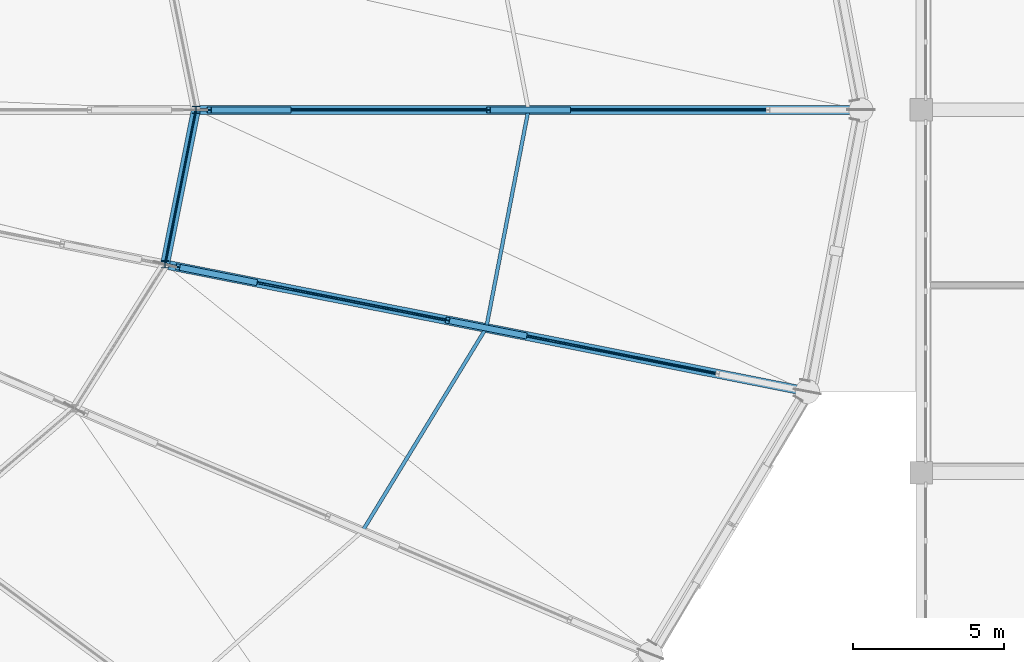
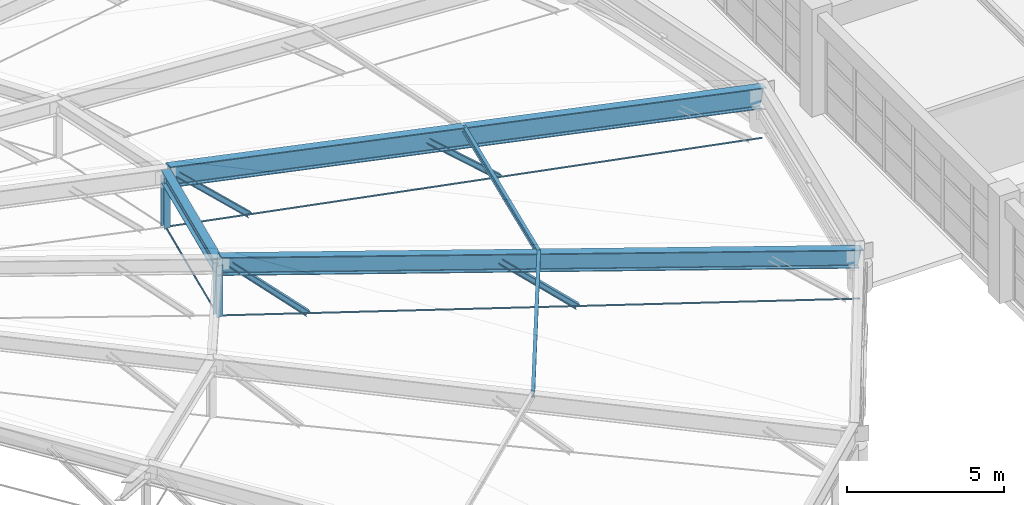
# One storey, part 24 of 83: 11 members, 3 beams.
"""IFC4 building model written with IfcOpenShell, lengths in metres."""

from ifc_helpers import new_model, si_unit, direction, frame, origin, origin_2d, place, context, subcontext, project, spatial, circle, i_section, extrude, material, material_profile, profile_set, type_object, element, save


model = new_model("IFC4")

# Units and contexts
model_context = context("Model", 3, precision=1e-05, world=origin(), true_north=direction((0.0, 1.0)))
body_context = subcontext(model_context, "Body", "Model", "MODEL_VIEW")
ifc_project = project(units=[si_unit("LENGTHUNIT", "METRE"), si_unit("AREAUNIT", "SQUARE_METRE"), si_unit("VOLUMEUNIT", "CUBIC_METRE"), si_unit("PLANEANGLEUNIT", "RADIAN"), si_unit("MASSUNIT", "GRAM", prefix="KILO")], contexts=[model_context])

# Site, building, storey
site_placement = place(None, origin())
site = spatial("IfcSite", under=ifc_project, at=site_placement, CompositionType="ELEMENT")
building_placement = place(site_placement, origin())
building = spatial("IfcBuilding", under=site, at=building_placement, Name="Kivolera Central Railway Station", CompositionType="ELEMENT")
storey_placement = place(building_placement, frame((0.0, 0.0, 14.39990234375)))
storey = spatial("IfcBuildingStorey", under=building, at=storey_placement, Name="L03", CompositionType="ELEMENT", Elevation=14.39990234375)

# Beams
ifc_material_1 = material(Name="Steel S355", Category="steel")
ifc_material_profile_1 = material_profile(ifc_material_1, i_section(OverallWidth=0.300048828125, OverallDepth=0.699951171875, WebThickness=0.01708984375, FlangeThickness=0.031982421875, FilletRadius=0.027099609375, at=origin_2d()), Name="HEB 700")
ifc_profile_set_1 = profile_set([ifc_material_profile_1], Name="Steel S355")
beam_type_1 = type_object("IfcBeamType", Name="BM-DRB-HEB700", PredefinedType="BEAM", material=ifc_profile_set_1)
beam_1_placement = place(storey_placement, frame((114.22802734375, 80.68310546875, 1.18017578125), z_axis=(-0.959583816492, 0.189877206703, 0.207715058439), x_axis=(-0.194110886341, -0.980979593979, 0.0)))
element("IfcBeam", 1, at=beam_1_placement, inside=storey, type_object=beam_type_1, Name="Oval Dome Radial Arch Rib Outer Segment DRB1-24", PredefinedType="BEAM", context=body_context, shape_type="SweptSolid", body=[
    extrude(i_section(OverallWidth=0.300048828125, OverallDepth=0.699951171875, WebThickness=0.01708984375, FlangeThickness=0.031982421875, FilletRadius=0.027099609375, at=origin_2d()), origin(), (0.0, 0.0, 1.0), 22.14501953125),
])
ifc_material_profile_2 = material_profile(ifc_material_1, i_section(OverallWidth=0.300048828125, OverallDepth=0.800048828125, WebThickness=0.017578125, FlangeThickness=0.032958984375, FilletRadius=0.030029296875, at=origin_2d()), Name="HEB 800")
ifc_profile_set_2 = profile_set([ifc_material_profile_2], Name="Steel S355")
beam_type_2 = type_object("IfcBeamType", Name="BM-DRB-HEB800", PredefinedType="BEAM", material=ifc_profile_set_2)
beam_2_placement = place(storey_placement, frame((116.0, 90.0, 1.18017578125), z_axis=(-0.978833406284, 0.0, 0.204658649323), x_axis=(0.0, -1.0, 0.0)))
element("IfcBeam", 2, at=beam_2_placement, inside=storey, type_object=beam_type_2, Name="Oval Dome Radial Arch Rib Outer Segment DRB1-01", PredefinedType="BEAM", context=body_context, shape_type="SweptSolid", body=[
    extrude(i_section(OverallWidth=0.300048828125, OverallDepth=0.800048828125, WebThickness=0.017578125, FlangeThickness=0.032958984375, FilletRadius=0.030029296875, at=origin_2d()), origin(), (0.0, 0.0, 1.0), 22.475830078125),
])
ifc_material_profile_3 = material_profile(ifc_material_1, i_section(OverallWidth=0.300048828125, OverallDepth=0.5, WebThickness=0.014404296875, FlangeThickness=0.028076171875, FilletRadius=0.027099609375, at=origin_2d()), Name="HEB 500")
ifc_profile_set_3 = profile_set([ifc_material_profile_3], Name="Steel S355")
beam_type_3 = type_object("IfcBeamType", Name="BM-HRG-HEB500", PredefinedType="BEAM", material=ifc_profile_set_3)
beam_3_placement = place(storey_placement, frame((92.97802734375, 84.887939453125, 5.780029296875), z_axis=(0.196035080602, 0.980596883114, 0.0), x_axis=(-0.980596883114, 0.196035080602, 0.0)))
element("IfcBeam", 3, at=beam_3_placement, inside=storey, type_object=beam_type_3, Name="Oval Dome Outer Hoop Ring Beam HRG1-24", PredefinedType="BEAM", context=body_context, shape_type="SweptSolid", body=[
    extrude(i_section(OverallWidth=0.300048828125, OverallDepth=0.5, WebThickness=0.014404296875, FlangeThickness=0.028076171875, FilletRadius=0.027099609375, at=origin_2d()), origin(), (0.0, 0.0, 1.0), 5.213134765625),
])

# Members
ifc_material_2 = material(Name="Spiral strand steel S460", Category="steel")
ifc_material_profile_4 = material_profile(ifc_material_2, circle(Radius=0.02392578125, at=origin_2d()), Name="CABLE D48")
ifc_profile_set_4 = profile_set([ifc_material_profile_4], Name="Spiral strand steel S460")
member_type_1 = type_object("IfcMemberType", Name="MEM-CABLE-D48", PredefinedType="USERDEFINED", material=ifc_profile_set_4)
member_1_placement = place(storey_placement, frame((92.97802734375, 84.887939453125, 3.780029296875), z_axis=(0.196035080602, 0.980596883114, 0.0), x_axis=(-0.980596883114, 0.196035080602, 0.0)))
element("IfcMember", 4, at=member_1_placement, inside=storey, type_object=member_type_1, Name="Dome Hoop Tension Cable HC1-24", ObjectType="TENSION_CABLE", PredefinedType="USERDEFINED", context=body_context, shape_type="SweptSolid", body=[
    extrude(circle(Radius=0.02392578125, at=origin_2d()), origin(), (0.0, 0.0, 1.0), 5.213134765625),
])
ifc_material_profile_5 = material_profile(ifc_material_2, circle(Radius=0.031982421875, at=origin_2d()), Name="CABLE D64")
ifc_profile_set_5 = profile_set([ifc_material_profile_5], Name="Spiral strand steel S460")
member_type_2 = type_object("IfcMemberType", Name="MEM-CABLE-D64", PredefinedType="USERDEFINED", material=ifc_profile_set_5)
member_2_placement = place(storey_placement, frame((116.0, 90.0, -0.449951171875), z_axis=(-0.982012975682, 0.0, 0.188813441236), x_axis=(0.0, -1.0, 0.0)))
element("IfcMember", 5, at=member_2_placement, inside=storey, type_object=member_type_2, Name="Dome Radial Spiral-Strand Tension Cable RC1-01", ObjectType="TENSION_CABLE", PredefinedType="USERDEFINED", context=body_context, shape_type="SweptSolid", body=[
    extrude(circle(Radius=0.031982421875, at=origin_2d()), origin(), (0.0, 0.0, 1.0), 22.403076171875),
])
member_3_placement = place(storey_placement, frame((114.22802734375, 80.68310546875, -0.449951171875), z_axis=(-0.962795124398, 0.190512642779, 0.191651979841), x_axis=(-0.194110886341, -0.980979593979, 0.0)))
element("IfcMember", 6, at=member_3_placement, inside=storey, type_object=member_type_2, Name="Dome Radial Spiral-Strand Tension Cable RC1-24", ObjectType="TENSION_CABLE", PredefinedType="USERDEFINED", context=body_context, shape_type="SweptSolid", body=[
    extrude(circle(Radius=0.031982421875, at=origin_2d()), origin(), (0.0, 0.0, 1.0), 22.071044921875),
])
ifc_material_profile_6 = material_profile(ifc_material_1, i_section(OverallWidth=0.1201171875, OverallDepth=0.239990234375, WebThickness=0.006103515625, FlangeThickness=0.009765625, FilletRadius=0.014892578125, at=origin_2d()), Name="IPE 240")
ifc_profile_set_6 = profile_set([ifc_material_profile_6], Name="Steel S355")
member_type_3 = type_object("IfcMemberType", Name="MEM-PUR-IPE240", PredefinedType="PURLIN", material=ifc_profile_set_6)
member_4_placement = place(storey_placement, frame((99.507080078125, 76.06201171875, 3.775146484375), z_axis=(0.520239086032, 0.854020663313, 0.0), x_axis=(-0.854020663313, 0.520239086032, 0.0)))
element("IfcMember", 7, at=member_4_placement, inside=storey, type_object=member_type_3, Name="Dome Outer Hoop Purlin DPUR1-23", PredefinedType="PURLIN", context=body_context, shape_type="SweptSolid", body=[
    extrude(i_section(OverallWidth=0.1201171875, OverallDepth=0.239990234375, WebThickness=0.006103515625, FlangeThickness=0.009765625, FilletRadius=0.014892578125, at=origin_2d()), origin(), (0.0, 0.0, 1.0), 7.873291015625),
])
member_5_placement = place(storey_placement, frame((103.60302734375, 82.785888671875, 3.775146484375), z_axis=(0.19011281598, 0.981762250853, 0.0), x_axis=(-0.981762250853, 0.19011281598, 0.0)))
element("IfcMember", 8, at=member_5_placement, inside=storey, type_object=member_type_3, Name="Dome Outer Hoop Purlin DPUR1-24", PredefinedType="PURLIN", context=body_context, shape_type="SweptSolid", body=[
    extrude(i_section(OverallWidth=0.1201171875, OverallDepth=0.239990234375, WebThickness=0.006103515625, FlangeThickness=0.009765625, FilletRadius=0.014892578125, at=origin_2d()), origin(), (0.0, 0.0, 1.0), 7.34814453125),
])
ifc_material_profile_7 = material_profile(ifc_material_1, i_section(OverallWidth=0.239990234375, OverallDepth=0.22998046875, WebThickness=0.007568359375, FlangeThickness=0.011962890625, FilletRadius=0.02099609375, at=origin_2d()), Name="HEA 240")
ifc_profile_set_7 = profile_set([ifc_material_profile_7], Name="Steel S355")
member_type_4 = type_object("IfcMemberType", Name="MEM-RAF-HEA240", PredefinedType="STRUT", material=ifc_profile_set_7)
for number, where, z_axis, x_axis, name in (
    (9, (94.0, 90.0, 3.780029296875), (0.0, 0.0, 1.0), (1.0, 0.0, 0.0), "Dome Ring Spreader Post DP1-01"),
    (10, (92.97802734375, 84.887939453125, 3.780029296875), (0.0, 0.0, 1.0), (1.0, 0.0, 0.0), "Dome Ring Spreader Post DP1-24"),
):
    element("IfcMember", number, at=place(storey_placement, frame(where, z_axis=z_axis, x_axis=x_axis)), inside=storey, type_object=member_type_4, Name=name, PredefinedType="STRUT", context=body_context, shape_type="SweptSolid", body=[
        extrude(i_section(OverallWidth=0.239990234375, OverallDepth=0.22998046875, WebThickness=0.007568359375, FlangeThickness=0.011962890625, FilletRadius=0.02099609375, at=origin_2d()), origin(), (0.0, 0.0, 1.0), 2.0),
    ])
ifc_material_profile_8 = material_profile(ifc_material_1, i_section(OverallWidth=0.199951171875, OverallDepth=0.199951171875, WebThickness=0.009033203125, FlangeThickness=0.014892578125, FilletRadius=0.01806640625, at=origin_2d()), Name="HEB 200")
ifc_profile_set_8 = profile_set([ifc_material_profile_8], Name="Steel S355")
member_type_5 = type_object("IfcMemberType", Name="MEM-RAF-HEB200", PredefinedType="RAFTER", material=ifc_profile_set_8)
member_6_placement = place(storey_placement, frame((106.320068359375, 90.0, 1.4111328125), z_axis=(-0.747664837797, 0.0, 0.664076268452), x_axis=(0.0, -1.0, 0.0)))
element("IfcMember", 11, at=member_6_placement, inside=storey, type_object=member_type_5, Name="Dome Radial Truss Raking Web DWEB1-01.2", PredefinedType="RAFTER", context=body_context, shape_type="SweptSolid", body=[
    extrude(i_section(OverallWidth=0.199951171875, OverallDepth=0.199951171875, WebThickness=0.009033203125, FlangeThickness=0.014892578125, FilletRadius=0.01806640625, at=origin_2d()), origin(), (0.0, 0.0, 1.0), 3.53125),
])
member_7_placement = place(storey_placement, frame((97.080078125, 90.0, 3.18798828125), z_axis=(-0.726114989951, 0.0, 0.687573284362), x_axis=(0.0, -1.0, 0.0)))
element("IfcMember", 12, at=member_7_placement, inside=storey, type_object=member_type_5, Name="Dome Radial Truss Raking Web DWEB1-01.3", PredefinedType="RAFTER", context=body_context, shape_type="SweptSolid", body=[
    extrude(i_section(OverallWidth=0.199951171875, OverallDepth=0.199951171875, WebThickness=0.009033203125, FlangeThickness=0.014892578125, FilletRadius=0.01806640625, at=origin_2d()), origin(), (0.0, 0.0, 1.0), 3.635986328125),
])
member_8_placement = place(storey_placement, frame((104.8779296875, 82.532958984375, 1.4111328125), z_axis=(-0.728383545201, 0.144282006225, 0.669806026966), x_axis=(-0.194309748396, -0.980940223295, 0.0)))
element("IfcMember", 13, at=member_8_placement, inside=storey, type_object=member_type_5, Name="Dome Radial Truss Raking Web DWEB1-24.2", PredefinedType="RAFTER", context=body_context, shape_type="SweptSolid", body=[
    extrude(i_section(OverallWidth=0.199951171875, OverallDepth=0.199951171875, WebThickness=0.009033203125, FlangeThickness=0.014892578125, FilletRadius=0.01806640625, at=origin_2d()), origin(), (0.0, 0.0, 1.0), 3.5009765625),
])
member_9_placement = place(storey_placement, frame((95.952880859375, 84.299072265625, 3.18798828125), z_axis=(-0.707014279237, 0.139994784514, 0.69320434885), x_axis=(-0.194237271677, -0.980954577079, 0.0)))
element("IfcMember", 14, at=member_9_placement, inside=storey, type_object=member_type_5, Name="Dome Radial Truss Raking Web DWEB1-24.3", PredefinedType="RAFTER", context=body_context, shape_type="SweptSolid", body=[
    extrude(i_section(OverallWidth=0.199951171875, OverallDepth=0.199951171875, WebThickness=0.009033203125, FlangeThickness=0.014892578125, FilletRadius=0.01806640625, at=origin_2d()), origin(), (0.0, 0.0, 1.0), 3.6064453125),
])

save(model, "model.ifc")
